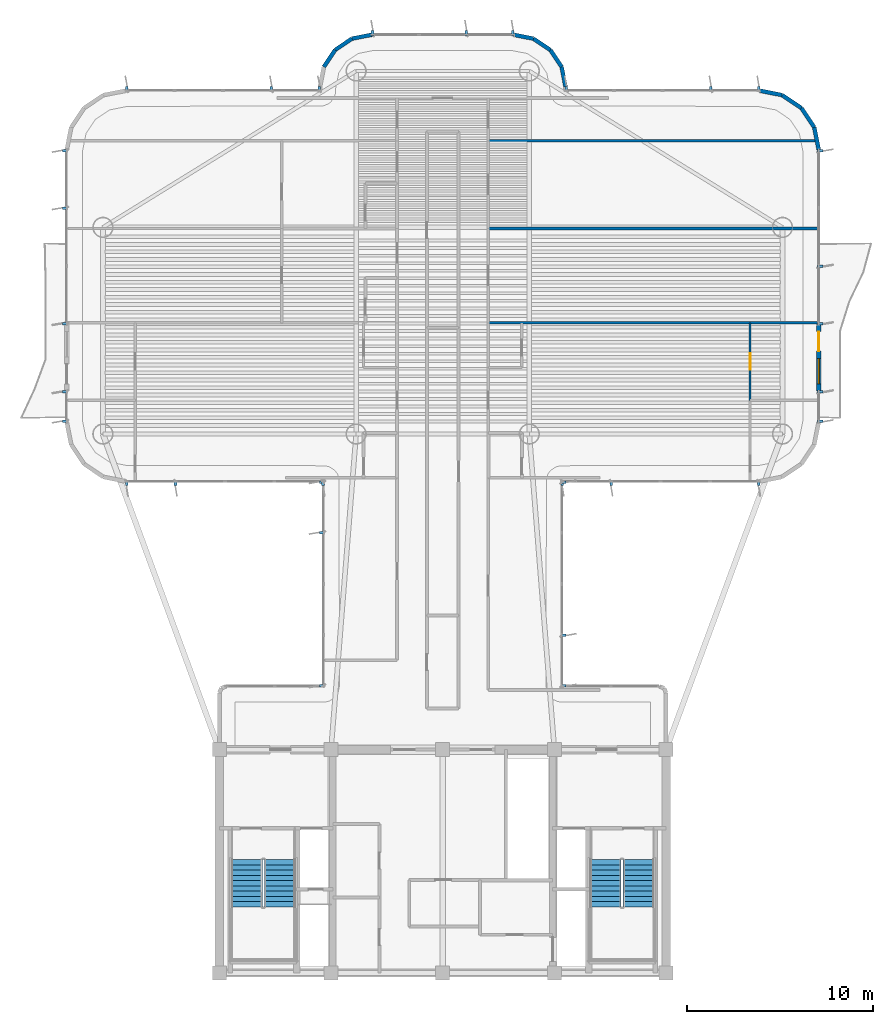
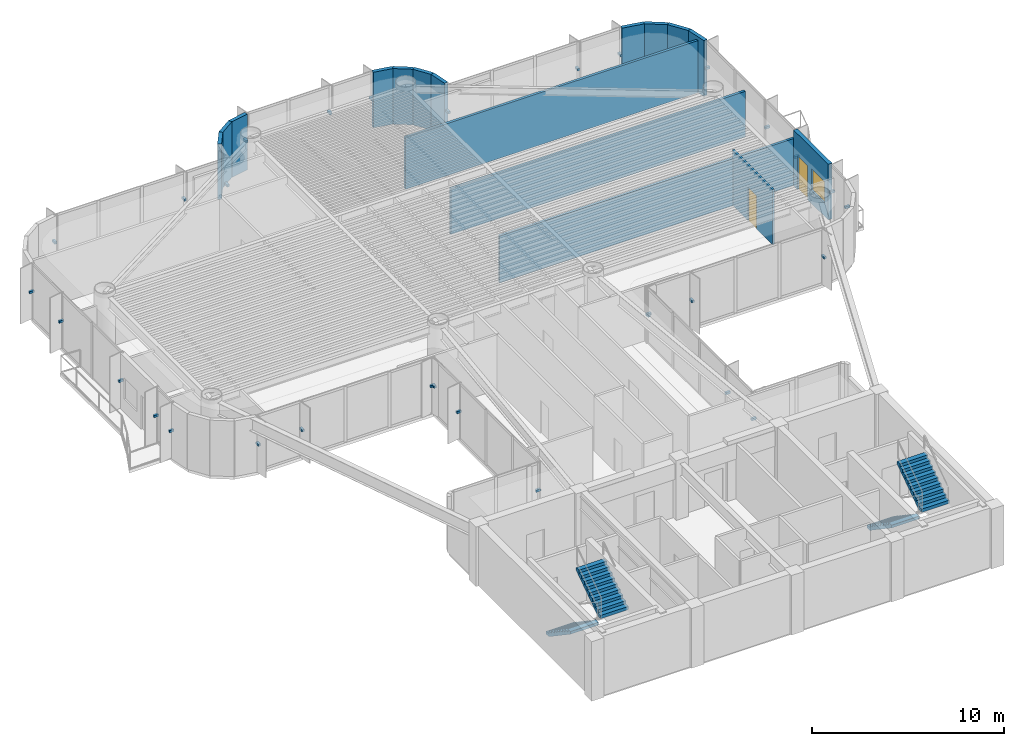
# One storey, part 12 of 14: 31 discrete accessories, 16 walls, 4 stair flights, 2 doors, 1 window, 3 openings, 2 elements without a shape of their own.
"""IFC4 building model written with IfcOpenShell, lengths in metres."""

from ifc_helpers import new_model, si_unit, direction, frame, frame_2d, origin, origin_2d, place, context, subcontext, project, spatial, polyline, rectangle, outline, extrude, source, transform, mapped, material, layer, layer_set, type_object, element, fill, aggregate, save


model = new_model("IFC4")

# Units and contexts
model_context = context("Model", 3, precision=1e-05, world=origin(), true_north=direction((0.0, 1.0)))
body_context = subcontext(model_context, "Body", "Model", "MODEL_VIEW")
ifc_project = project(units=[si_unit("LENGTHUNIT", "METRE"), si_unit("AREAUNIT", "SQUARE_METRE"), si_unit("VOLUMEUNIT", "CUBIC_METRE"), si_unit("PLANEANGLEUNIT", "RADIAN"), si_unit("MASSUNIT", "GRAM", prefix="KILO")], contexts=[model_context])

# Site, building, storey
site_placement = place(None, origin())
site = spatial("IfcSite", under=ifc_project, at=site_placement, CompositionType="ELEMENT")
building_placement = place(site_placement, origin())
building = spatial("IfcBuilding", under=site, at=building_placement, Name="Brelvock Crest Care Tower", CompositionType="ELEMENT")
storey_placement = place(building_placement, frame((0.0, 0.0, 205.56005859375)))
storey = spatial("IfcBuildingStorey", under=building, at=storey_placement, Name="L52", CompositionType="ELEMENT", Elevation=205.56005859375)

# Wall, openings, door, window
ifc_material_1 = material(Name="Precast concrete N40 (40 MPa)", Category="concrete")
ifc_layer_1 = layer(ifc_material_1, 0.239990234375, Name="WL-EX1")
ifc_layer_set_1 = layer_set([ifc_layer_1], Name="Precast concrete N40 (40 MPa)")
wall_type_1 = type_object("IfcWallType", Name="WL-EX1", PredefinedType="SOLIDWALL", material=ifc_layer_set_1)
wall_1_placement = place(storey_placement, frame((56.199951171875, 40.85009765625, 0.0), z_axis=(0.0, 0.0, 1.0), x_axis=(0.0, -1.0, 0.0)))
wall_1 = element("IfcWall", 1, at=wall_1_placement, inside=storey, type_object=wall_type_1, Name="L52 Exterior Spandrel Wall WL-BAL-L52-E", PredefinedType="SOLIDWALL", context=body_context, shape_type="SweptSolid", body=[
    extrude(rectangle(XDim=3.60009765625, YDim=0.239990234375, at=frame_2d((1.800048828125, 0.0))), origin(), (0.0, 0.0, 1.0), 3.530029296875),
])
opening_1_placement = place(wall_1_placement, frame((0.39990234375, 0.0, 0.0)))
opening_1 = element("IfcOpeningElement", 2, at=opening_1_placement, cuts=wall_1, Name="Opening BD-1", PredefinedType="OPENING", context=body_context, shape_type="SweptSolid", body=[
    extrude(rectangle(XDim=1.050048828125, YDim=2.14990234375, at=origin_2d()), frame((0.52490234375, 0.1298828125, 1.074951171875), z_axis=(0.0, -1.0, 0.0), x_axis=(1.0, 0.0, 0.0)), (0.0, 0.0, 1.0), 0.260009765625),
])
opening_2_placement = place(wall_1_placement, frame((1.85009765625, 0.0, 0.85009765625)))
opening_2 = element("IfcOpeningElement", 3, at=opening_2_placement, cuts=wall_1, Name="Opening W-01", PredefinedType="OPENING", context=body_context, shape_type="SweptSolid", body=[
    extrude(rectangle(XDim=1.35009765625, YDim=1.35009765625, at=origin_2d()), frame((0.675048828125, 0.1298828125, 0.675048828125), z_axis=(0.0, -1.0, 0.0), x_axis=(1.0, 0.0, 0.0)), (0.0, 0.0, 1.0), 0.260009765625),
])
ifc_material_2 = material(Name="Dark Glass Double Glazed Low-E", Category="glass")
door_type_1 = type_object("IfcDoorType", Name="DR-BAL1", OperationType="NOTDEFINED", PredefinedType="DOOR", material=ifc_material_2)
shared_shape_1 = source(origin(), body_context, "Body", "SweptSolid", [
    extrude(rectangle(XDim=1.050048828125, YDim=2.14990234375, at=origin_2d()), frame((0.52490234375, 0.02490234375, 1.074951171875), z_axis=(0.0, -1.0, 0.0), x_axis=(1.0, 0.0, 0.0)), (0.0, 0.0, 1.0), 0.050048828125),
])
door_1_placement = place(opening_1_placement, origin())
door_1 = element("IfcDoor", 4, at=door_1_placement, inside=storey, type_object=door_type_1, Name="L52 E Wave Balcony Glazed Door", OperationType="SINGLE_SWING_RIGHT", OverallHeight=2.14990234375, OverallWidth=1.050048828125, PredefinedType="DOOR", context=body_context, shape_type="MappedRepresentation", body=[
    mapped(shared_shape_1, transform((0.0, 0.0, 0.0), x_axis=(1.0, 0.0, 0.0), y_axis=(0.0, 1.0, 0.0), z_axis=(0.0, 0.0, 1.0), scale=1.0)),
])
fill(opening_1, door_1)
window_type = type_object("IfcWindowType", Name="WN-EX1", PartitioningType="SINGLE_PANEL", PredefinedType="WINDOW", material=ifc_material_2)
shared_shape_2 = source(origin(), body_context, "Body", "SweptSolid", [
    extrude(rectangle(XDim=1.35009765625, YDim=1.35009765625, at=origin_2d()), frame((0.675048828125, 0.030029296875, 0.675048828125), z_axis=(0.0, -1.0, 0.0), x_axis=(1.0, 0.0, 0.0)), (0.0, 0.0, 1.0), 0.06005859375),
])
window_placement = place(opening_2_placement, origin())
window = element("IfcWindow", 5, at=window_placement, inside=storey, type_object=window_type, Name="L52 E Suite Casement Window", OverallHeight=1.35009765625, OverallWidth=1.35009765625, PartitioningType="SINGLE_PANEL", PredefinedType="WINDOW", context=body_context, shape_type="MappedRepresentation", body=[
    mapped(shared_shape_2, transform((0.0, 0.0, 0.0), x_axis=(1.0, 0.0, 0.0), y_axis=(0.0, 1.0, 0.0), z_axis=(0.0, 0.0, 1.0), scale=1.0)),
])
fill(opening_2, window)

# Walls
ifc_layer_2 = layer(ifc_material_1, 0.215087890625, Name="WL-EX2")
ifc_layer_set_2 = layer_set([ifc_layer_2], Name="Precast concrete N40 (40 MPa)")
wall_type_2 = type_object("IfcWallType", Name="WL-EX2", PredefinedType="SOLIDWALL", material=ifc_layer_set_2)
wall_2_placement = place(storey_placement, frame((29.613037109375, 54.67138671875, 0.0), z_axis=(0.0, 0.0, 1.0), x_axis=(0.555679482341, 0.831396603857, 0.0)))
element("IfcWall", 6, at=wall_2_placement, inside=storey, type_object=wall_type_2, Name="L52 Rounded Corner Wall 25", PredefinedType="SOLIDWALL", context=body_context, shape_type="SweptSolid", body=[
    extrude(rectangle(XDim=1.0927734375, YDim=0.215087890625, at=frame_2d((0.54638671875, 0.0))), origin(), (0.0, 0.0, 1.0), 3.530029296875),
])
for number, where, z_axis, x_axis, name in (
    (7, (30.22021484375, 55.579833984375, 0.0), (0.0, 0.0, 1.0), (0.831327592857, 0.555782721353, 0.0), "L52 Rounded Corner Wall 26"),
    (8, (31.12841796875, 56.18701171875, 0.0), (0.0, 0.0, 1.0), (0.980829143587, 0.194869677195, 0.0), "L52 Rounded Corner Wall 27"),
    (9, (39.800048828125, 56.39990234375, 0.0), (0.0, 0.0, 1.0), (0.980829143587, -0.194869677195, 0.0), "L52 Rounded Corner Wall 29"),
    (10, (40.87158203125, 56.18701171875, 0.0), (0.0, 0.0, 1.0), (0.831327592857, -0.555782721353, 0.0), "L52 Rounded Corner Wall 30"),
):
    element("IfcWall", number, at=place(storey_placement, frame(where, z_axis=z_axis, x_axis=x_axis)), inside=storey, type_object=wall_type_2, Name=name, PredefinedType="SOLIDWALL", context=body_context, shape_type="SweptSolid", body=[
        extrude(rectangle(XDim=1.092529296875, YDim=0.215087890625, at=frame_2d((0.54638671875, 0.0))), origin(), (0.0, 0.0, 1.0), 3.530029296875),
    ])
wall_3_placement = place(storey_placement, frame((41.77978515625, 55.579833984375, 0.0), z_axis=(0.0, 0.0, 1.0), x_axis=(0.555679482341, -0.831396603857, 0.0)))
element("IfcWall", 11, at=wall_3_placement, inside=storey, type_object=wall_type_2, Name="L52 Rounded Corner Wall 31", PredefinedType="SOLIDWALL", context=body_context, shape_type="SweptSolid", body=[
    extrude(rectangle(XDim=1.0927734375, YDim=0.215087890625, at=frame_2d((0.54638671875, 0.0))), origin(), (0.0, 0.0, 1.0), 3.530029296875),
])
wall_4_placement = place(storey_placement, frame((42.386962890625, 54.67138671875, 0.0), z_axis=(0.0, 0.0, 1.0), x_axis=(0.195127417394, -0.980777900945, 0.0)))
element("IfcWall", 12, at=wall_4_placement, inside=storey, type_object=wall_type_2, Name="L52 Rounded Corner Wall 32", PredefinedType="SOLIDWALL", context=body_context, shape_type="SweptSolid", body=[
    extrude(rectangle(XDim=1.09228515625, YDim=0.215087890625, at=frame_2d((0.546142578125, 0.0))), origin(), (0.0, 0.0, 1.0), 3.530029296875),
])
for number, where, z_axis, x_axis, name in (
    (13, (53.0, 53.39990234375, 0.0), (0.0, 0.0, 1.0), (0.980813122964, -0.194950295773, 0.0), "L52 Rounded Corner Wall 35"),
    (14, (54.224609375, 53.156494140625, 0.0), (0.0, 0.0, 1.0), (0.831387912822, -0.555692485475, 0.0), "L52 Rounded Corner Wall 36"),
    (15, (55.2626953125, 52.462646484375, 0.0), (0.0, 0.0, 1.0), (0.555557312883, -0.831478245117, 0.0), "L52 Rounded Corner Wall 37"),
    (16, (55.956298828125, 51.424560546875, 0.0), (0.0, 0.0, 1.0), (0.195138390419, -0.980775717779, 0.0), "L52 Rounded Corner Wall 38"),
):
    element("IfcWall", number, at=place(storey_placement, frame(where, z_axis=z_axis, x_axis=x_axis)), inside=storey, type_object=wall_type_2, Name=name, PredefinedType="SOLIDWALL", context=body_context, shape_type="SweptSolid", body=[
        extrude(rectangle(XDim=1.24853515625, YDim=0.215087890625, at=frame_2d((0.624267578125, 0.0))), origin(), (0.0, 0.0, 1.0), 3.530029296875),
    ])
ifc_material_3 = material(Name="Masonry Blockwork Acoustic Partition", Category="masonry")
ifc_layer_3 = layer(ifc_material_3, 0.14990234375, Name="WL-INT1")
ifc_layer_set_3 = layer_set([ifc_layer_3], Name="Masonry Blockwork Acoustic Partition")
wall_type_3 = type_object("IfcWallType", Name="WL-INT1", PredefinedType="PARTITIONING", material=ifc_layer_set_3)
wall_5_placement = place(storey_placement, frame((38.449951171875, 40.926025390625, 0.0), z_axis=(0.0, 0.0, 1.0), x_axis=(1.0, 0.0, 0.0)))
element("IfcWall", 17, at=wall_5_placement, inside=storey, type_object=wall_type_3, Name="L52 Interior Wall WL-BX-L52-EFL2-S", PredefinedType="PARTITIONING", context=body_context, shape_type="SweptSolid", body=[
    extrude(rectangle(XDim=17.670166015625, YDim=0.14990234375, at=frame_2d((8.8349609375, 0.0))), origin(), (0.0, 0.0, 1.0), 2.98193359375),
])
wall_6_placement = place(storey_placement, frame((38.449951171875, 45.993896484375, 0.0), z_axis=(0.0, 0.0, 1.0), x_axis=(1.0, 0.0, 0.0)))
element("IfcWall", 18, at=wall_6_placement, inside=storey, type_object=wall_type_3, Name="L52 Interior Wall WL-BX-L52-EFL2-N", PredefinedType="PARTITIONING", context=body_context, shape_type="SweptSolid", body=[
    extrude(rectangle(XDim=17.670166015625, YDim=0.14990234375, at=frame_2d((8.8349609375, 0.0))), origin(), (0.0, 0.0, 1.0), 2.90283203125),
])
wall_7_placement = place(storey_placement, frame((38.449951171875, 50.699951171875, 0.0), z_axis=(0.0, 0.0, 1.0), x_axis=(1.0, 0.0, 0.0)))
element("IfcWall", 19, at=wall_7_placement, inside=storey, type_object=wall_type_3, Name="L52 Interior Wall WL-BX-L52-EFL3-N", PredefinedType="PARTITIONING", context=body_context, shape_type="SweptSolid", body=[
    extrude(rectangle(XDim=17.569091796875, YDim=0.14990234375, at=frame_2d((8.78466796875, 0.0))), origin(), (0.0, 0.0, 1.0), 3.307861328125),
])

# Wall, opening, door
ifc_material_4 = material(Name="Gypsum Plasterboard Partition", Category="gypsum")
ifc_layer_4 = layer(ifc_material_4, 0.1201171875, Name="WL-INT2")
ifc_layer_set_4 = layer_set([ifc_layer_4], Name="Gypsum Plasterboard Partition")
wall_type_4 = type_object("IfcWallType", Name="WL-INT2", PredefinedType="PARTITIONING", material=ifc_layer_set_4)
wall_8_placement = place(storey_placement, frame((52.510009765625, 36.762939453125, 0.0), z_axis=(0.0, 0.0, 1.0), x_axis=(0.0, 1.0, 0.0)))
wall_8 = element("IfcWall", 20, at=wall_8_placement, inside=storey, type_object=wall_type_4, Name="L52 Interior Wall WL-UBD2-L52-EF1", PredefinedType="PARTITIONING", context=body_context, shape_type="SweptSolid", body=[
    extrude(rectangle(XDim=4.1630859375, YDim=0.1201171875, at=frame_2d((2.08154296875, 0.0))), origin(), (0.0, 0.0, 1.0), 3.5),
])
opening_3_placement = place(wall_8_placement, frame((1.652099609375, 0.0, 0.0)))
opening_3 = element("IfcOpeningElement", 21, at=opening_3_placement, cuts=wall_8, Name="Opening ID-1", PredefinedType="OPENING", context=body_context, shape_type="SweptSolid", body=[
    extrude(rectangle(XDim=0.860107421875, YDim=2.10009765625, at=origin_2d()), frame((0.43017578125, 0.070068359375, 1.050048828125), z_axis=(0.0, -1.0, 0.0), x_axis=(1.0, 0.0, 0.0)), (0.0, 0.0, 1.0), 0.14013671875),
])
ifc_material_5 = material(Name="Engineered Hardwood Timber", Category="wood")
door_type_2 = type_object("IfcDoorType", Name="DR-INT1", OperationType="NOTDEFINED", PredefinedType="DOOR", material=ifc_material_5)
shared_shape_3 = source(origin(), body_context, "Body", "SweptSolid", [
    extrude(rectangle(XDim=0.860107421875, YDim=2.10009765625, at=origin_2d()), frame((0.43017578125, 0.02490234375, 1.050048828125), z_axis=(0.0, -1.0, 0.0), x_axis=(1.0, 0.0, 0.0)), (0.0, 0.0, 1.0), 0.050048828125),
])
door_2_placement = place(opening_3_placement, origin())
door_2 = element("IfcDoor", 22, at=door_2_placement, inside=storey, type_object=door_type_2, Name="L52 Second Room Door EF1", OperationType="SINGLE_SWING_LEFT", OverallHeight=2.10009765625, OverallWidth=0.860107421875, PredefinedType="DOOR", context=body_context, shape_type="MappedRepresentation", body=[
    mapped(shared_shape_3, transform((0.0, 0.0, 0.0), x_axis=(1.0, 0.0, 0.0), y_axis=(0.0, 1.0, 0.0), z_axis=(0.0, 0.0, 1.0), scale=1.0)),
])
fill(opening_3, door_2)

# Stair, stair flights
ifc_material_6 = material(Name="Concrete N40 (40 MPa)", Category="concrete")
stair_type = type_object("IfcStairType", Name="ST-CORE1", PredefinedType="HALF_TURN_STAIR", material=ifc_material_6)
stair_1_placement = place(storey_placement, origin())
stair_1 = element("IfcStair", 23, at=stair_1_placement, inside=storey, type_object=stair_type, Name="L52 Fire-Isolated Core Stair ST-1", PredefinedType="HALF_TURN_STAIR")
stair_flight_type = type_object("IfcStairFlightType", Name="STF-1", PredefinedType="STRAIGHT", material=ifc_material_6)
stair_flight_1_placement = place(storey_placement, frame((25.469970703125, 12.080078125, 0.0), z_axis=(0.0, 0.0, 1.0), x_axis=(0.0, -1.0, 0.0)))
stair_flight_1 = element("IfcStairFlight", 24, at=stair_flight_1_placement, type_object=stair_flight_type, Name="ST-1 flight 1", NumberOfRisers=10, NumberOfTreads=9, PredefinedType="STRAIGHT", RiserHeight=0.189, TreadLength=0.28, context=body_context, shape_type="SweptSolid", body=[
    extrude(outline(polyline([(-0.00390625, -0.014892578125), (-0.00390625, -0.0078125), (-0.00390625, -0.00048828125), (-0.00390625, 0.0068359375), (-0.00390625, 0.01416015625), (-0.00390625, 0.021484375), (-0.00390625, 0.02880859375), (-0.00390625, 0.035888671875), (-0.00390625, 0.043212890625), (-0.00390625, 0.050537109375), (-0.00390625, 0.057861328125), (-0.00390625, 0.065185546875), (-0.00390625, 0.072509765625), (-0.00390625, 0.07958984375), (-0.00390625, 0.0869140625), (-0.00390625, 0.09423828125), (-0.00390625, 0.1015625), (-0.00390625, 0.10888671875), (-0.00390625, 0.1162109375), (-0.00390625, 0.12353515625), (-0.00390625, 0.130615234375), (-0.00390625, 0.137939453125), (-0.00390625, 0.145263671875), (-0.00390625, 0.152587890625), (-0.00390625, 0.159912109375), (-0.00390625, 0.167236328125), (-0.00390625, 0.17431640625), (-0.00390625, 0.181640625), (-0.00390625, 0.18896484375), (0.0, 0.18896484375), (0.280029296875, 0.18896484375), (0.280029296875, 0.3779296875), (0.56005859375, 0.3779296875), (0.56005859375, 0.56689453125), (0.840087890625, 0.56689453125), (0.840087890625, 0.756103515625), (1.1201171875, 0.756103515625), (1.1201171875, 0.945068359375), (1.39990234375, 0.945068359375), (1.39990234375, 1.134033203125), (1.679931640625, 1.134033203125), (1.679931640625, 1.322998046875), (1.9599609375, 1.322998046875), (1.9599609375, 1.511962890625), (2.239990234375, 1.511962890625), (2.239990234375, 1.700927734375), (2.52001953125, 1.700927734375), (2.52392578125, 1.700927734375), (2.523681640625, 1.70068359375), (2.52392578125, 1.700439453125), (2.523681640625, 1.699951171875), (2.52392578125, 1.69970703125), (2.523681640625, 1.699462890625), (2.52392578125, 1.698974609375), (2.523681640625, 1.69873046875), (2.52392578125, 1.698486328125), (2.523681640625, 1.697998046875), (2.52392578125, 1.69775390625), (2.523681640625, 1.697509765625), (2.52392578125, 1.697021484375), (2.523681640625, 1.69677734375), (2.52392578125, 1.696533203125), (2.523681640625, 1.6962890625), (2.52392578125, 1.69580078125), (2.523681640625, 1.695556640625), (2.52392578125, 1.6953125), (2.523681640625, 1.69482421875), (2.52392578125, 1.694580078125), (2.523681640625, 1.6943359375), (2.52392578125, 1.69384765625), (2.523681640625, 1.693603515625), (2.52392578125, 1.693359375), (2.523681640625, 1.69287109375), (2.52392578125, 1.692626953125), (2.523681640625, 1.6923828125), (2.52392578125, 1.69189453125), (2.52001953125, 1.520263671875), (0.267822265625, 0.0), (0.0, 0.0), (0.0, -0.014892578125), (-0.00390625, -0.014892578125)])), frame((0.0, 0.83984375, 0.0), z_axis=(0.0, -1.0, 0.0), x_axis=(1.0, 0.0, 0.0)), (0.0, 0.0, 1.0), 1.679931640625),
])
stair_flight_2_placement = place(storey_placement, frame((27.27001953125, 9.56005859375, 1.889892578125), z_axis=(0.0, 0.0, 1.0), x_axis=(0.0, 1.0, 0.0)))
stair_flight_2 = element("IfcStairFlight", 25, at=stair_flight_2_placement, type_object=stair_flight_type, Name="ST-1 flight 2", NumberOfRisers=10, NumberOfTreads=9, PredefinedType="STRAIGHT", RiserHeight=0.189, TreadLength=0.28, context=body_context, shape_type="SweptSolid", body=[
    extrude(outline(polyline([(-0.00390625, -0.014892578125), (-0.00390625, -0.0078125), (-0.00390625, -0.00048828125), (-0.00390625, 0.0068359375), (-0.00390625, 0.01416015625), (-0.00390625, 0.021484375), (-0.00390625, 0.02880859375), (-0.00390625, 0.035888671875), (-0.00390625, 0.043212890625), (-0.00390625, 0.050537109375), (-0.00390625, 0.057861328125), (-0.00390625, 0.065185546875), (-0.00390625, 0.072509765625), (-0.00390625, 0.07958984375), (-0.00390625, 0.0869140625), (-0.00390625, 0.09423828125), (-0.00390625, 0.1015625), (-0.00390625, 0.10888671875), (-0.00390625, 0.1162109375), (-0.00390625, 0.12353515625), (-0.00390625, 0.130615234375), (-0.00390625, 0.137939453125), (-0.00390625, 0.145263671875), (-0.00390625, 0.152587890625), (-0.00390625, 0.159912109375), (-0.00390625, 0.167236328125), (-0.00390625, 0.17431640625), (-0.00390625, 0.181640625), (-0.00390625, 0.18896484375), (0.0, 0.18896484375), (0.280029296875, 0.18896484375), (0.280029296875, 0.3779296875), (0.56005859375, 0.3779296875), (0.56005859375, 0.56689453125), (0.840087890625, 0.56689453125), (0.840087890625, 0.756103515625), (1.1201171875, 0.756103515625), (1.1201171875, 0.945068359375), (1.39990234375, 0.945068359375), (1.39990234375, 1.134033203125), (1.679931640625, 1.134033203125), (1.679931640625, 1.322998046875), (1.9599609375, 1.322998046875), (1.9599609375, 1.511962890625), (2.239990234375, 1.511962890625), (2.239990234375, 1.700927734375), (2.52001953125, 1.700927734375), (2.52392578125, 1.700927734375), (2.523681640625, 1.70068359375), (2.52392578125, 1.700439453125), (2.523681640625, 1.699951171875), (2.52392578125, 1.69970703125), (2.523681640625, 1.699462890625), (2.52392578125, 1.698974609375), (2.523681640625, 1.69873046875), (2.52392578125, 1.698486328125), (2.523681640625, 1.697998046875), (2.52392578125, 1.69775390625), (2.523681640625, 1.697509765625), (2.52392578125, 1.697021484375), (2.523681640625, 1.69677734375), (2.52392578125, 1.696533203125), (2.523681640625, 1.6962890625), (2.52392578125, 1.69580078125), (2.523681640625, 1.695556640625), (2.52392578125, 1.6953125), (2.523681640625, 1.69482421875), (2.52392578125, 1.694580078125), (2.523681640625, 1.6943359375), (2.52392578125, 1.69384765625), (2.523681640625, 1.693603515625), (2.52392578125, 1.693359375), (2.523681640625, 1.69287109375), (2.52392578125, 1.692626953125), (2.523681640625, 1.6923828125), (2.52392578125, 1.69189453125), (2.52001953125, 1.520263671875), (0.267822265625, 0.0), (0.0, 0.0), (0.0, -0.014892578125), (-0.00390625, -0.014892578125)])), frame((0.0, 0.83984375, 0.0), z_axis=(0.0, -1.0, 0.0), x_axis=(1.0, 0.0, 0.0)), (0.0, 0.0, 1.0), 1.679931640625),
])
aggregate(stair_1, [stair_flight_1, stair_flight_2])

stair_2_placement = place(storey_placement, origin())
stair_2 = element("IfcStair", 26, at=stair_2_placement, inside=storey, type_object=stair_type, Name="L52 Fire-Isolated Core Stair ST-2", PredefinedType="HALF_TURN_STAIR")
stair_flight_3_placement = place(storey_placement, frame((44.72998046875, 12.080078125, 0.0), z_axis=(0.0, 0.0, 1.0), x_axis=(0.0, -1.0, 0.0)))
stair_flight_3 = element("IfcStairFlight", 27, at=stair_flight_3_placement, type_object=stair_flight_type, Name="ST-2 flight 1", NumberOfRisers=10, NumberOfTreads=9, PredefinedType="STRAIGHT", RiserHeight=0.189, TreadLength=0.28, context=body_context, shape_type="SweptSolid", body=[
    extrude(outline(polyline([(-0.00390625, -0.014892578125), (-0.00390625, -0.0078125), (-0.00390625, -0.00048828125), (-0.00390625, 0.0068359375), (-0.00390625, 0.01416015625), (-0.00390625, 0.021484375), (-0.00390625, 0.02880859375), (-0.00390625, 0.035888671875), (-0.00390625, 0.043212890625), (-0.00390625, 0.050537109375), (-0.00390625, 0.057861328125), (-0.00390625, 0.065185546875), (-0.00390625, 0.072509765625), (-0.00390625, 0.07958984375), (-0.00390625, 0.0869140625), (-0.00390625, 0.09423828125), (-0.00390625, 0.1015625), (-0.00390625, 0.10888671875), (-0.00390625, 0.1162109375), (-0.00390625, 0.12353515625), (-0.00390625, 0.130615234375), (-0.00390625, 0.137939453125), (-0.00390625, 0.145263671875), (-0.00390625, 0.152587890625), (-0.00390625, 0.159912109375), (-0.00390625, 0.167236328125), (-0.00390625, 0.17431640625), (-0.00390625, 0.181640625), (-0.00390625, 0.18896484375), (0.0, 0.18896484375), (0.280029296875, 0.18896484375), (0.280029296875, 0.3779296875), (0.56005859375, 0.3779296875), (0.56005859375, 0.56689453125), (0.840087890625, 0.56689453125), (0.840087890625, 0.756103515625), (1.1201171875, 0.756103515625), (1.1201171875, 0.945068359375), (1.39990234375, 0.945068359375), (1.39990234375, 1.134033203125), (1.679931640625, 1.134033203125), (1.679931640625, 1.322998046875), (1.9599609375, 1.322998046875), (1.9599609375, 1.511962890625), (2.239990234375, 1.511962890625), (2.239990234375, 1.700927734375), (2.52001953125, 1.700927734375), (2.52392578125, 1.700927734375), (2.523681640625, 1.70068359375), (2.52392578125, 1.700439453125), (2.523681640625, 1.699951171875), (2.52392578125, 1.69970703125), (2.523681640625, 1.699462890625), (2.52392578125, 1.698974609375), (2.523681640625, 1.69873046875), (2.52392578125, 1.698486328125), (2.523681640625, 1.697998046875), (2.52392578125, 1.69775390625), (2.523681640625, 1.697509765625), (2.52392578125, 1.697021484375), (2.523681640625, 1.69677734375), (2.52392578125, 1.696533203125), (2.523681640625, 1.6962890625), (2.52392578125, 1.69580078125), (2.523681640625, 1.695556640625), (2.52392578125, 1.6953125), (2.523681640625, 1.69482421875), (2.52392578125, 1.694580078125), (2.523681640625, 1.6943359375), (2.52392578125, 1.69384765625), (2.523681640625, 1.693603515625), (2.52392578125, 1.693359375), (2.523681640625, 1.69287109375), (2.52392578125, 1.692626953125), (2.523681640625, 1.6923828125), (2.52392578125, 1.69189453125), (2.52001953125, 1.520263671875), (0.267822265625, 0.0), (0.0, 0.0), (0.0, -0.014892578125), (-0.00390625, -0.014892578125)])), frame((0.0, 0.83984375, 0.0), z_axis=(0.0, -1.0, 0.0), x_axis=(1.0, 0.0, 0.0)), (0.0, 0.0, 1.0), 1.679931640625),
])
stair_flight_4_placement = place(storey_placement, frame((46.530029296875, 9.56005859375, 1.889892578125), z_axis=(0.0, 0.0, 1.0), x_axis=(0.0, 1.0, 0.0)))
stair_flight_4 = element("IfcStairFlight", 28, at=stair_flight_4_placement, type_object=stair_flight_type, Name="ST-2 flight 2", NumberOfRisers=10, NumberOfTreads=9, PredefinedType="STRAIGHT", RiserHeight=0.189, TreadLength=0.28, context=body_context, shape_type="SweptSolid", body=[
    extrude(outline(polyline([(-0.00390625, -0.014892578125), (-0.00390625, -0.0078125), (-0.00390625, -0.00048828125), (-0.00390625, 0.0068359375), (-0.00390625, 0.01416015625), (-0.00390625, 0.021484375), (-0.00390625, 0.02880859375), (-0.00390625, 0.035888671875), (-0.00390625, 0.043212890625), (-0.00390625, 0.050537109375), (-0.00390625, 0.057861328125), (-0.00390625, 0.065185546875), (-0.00390625, 0.072509765625), (-0.00390625, 0.07958984375), (-0.00390625, 0.0869140625), (-0.00390625, 0.09423828125), (-0.00390625, 0.1015625), (-0.00390625, 0.10888671875), (-0.00390625, 0.1162109375), (-0.00390625, 0.12353515625), (-0.00390625, 0.130615234375), (-0.00390625, 0.137939453125), (-0.00390625, 0.145263671875), (-0.00390625, 0.152587890625), (-0.00390625, 0.159912109375), (-0.00390625, 0.167236328125), (-0.00390625, 0.17431640625), (-0.00390625, 0.181640625), (-0.00390625, 0.18896484375), (0.0, 0.18896484375), (0.280029296875, 0.18896484375), (0.280029296875, 0.3779296875), (0.56005859375, 0.3779296875), (0.56005859375, 0.56689453125), (0.840087890625, 0.56689453125), (0.840087890625, 0.756103515625), (1.1201171875, 0.756103515625), (1.1201171875, 0.945068359375), (1.39990234375, 0.945068359375), (1.39990234375, 1.134033203125), (1.679931640625, 1.134033203125), (1.679931640625, 1.322998046875), (1.9599609375, 1.322998046875), (1.9599609375, 1.511962890625), (2.239990234375, 1.511962890625), (2.239990234375, 1.700927734375), (2.52001953125, 1.700927734375), (2.52392578125, 1.700927734375), (2.523681640625, 1.70068359375), (2.52392578125, 1.700439453125), (2.523681640625, 1.699951171875), (2.52392578125, 1.69970703125), (2.523681640625, 1.699462890625), (2.52392578125, 1.698974609375), (2.523681640625, 1.69873046875), (2.52392578125, 1.698486328125), (2.523681640625, 1.697998046875), (2.52392578125, 1.69775390625), (2.523681640625, 1.697509765625), (2.52392578125, 1.697021484375), (2.523681640625, 1.69677734375), (2.52392578125, 1.696533203125), (2.523681640625, 1.6962890625), (2.52392578125, 1.69580078125), (2.523681640625, 1.695556640625), (2.52392578125, 1.6953125), (2.523681640625, 1.69482421875), (2.52392578125, 1.694580078125), (2.523681640625, 1.6943359375), (2.52392578125, 1.69384765625), (2.523681640625, 1.693603515625), (2.52392578125, 1.693359375), (2.523681640625, 1.69287109375), (2.52392578125, 1.692626953125), (2.523681640625, 1.6923828125), (2.52392578125, 1.69189453125), (2.52001953125, 1.520263671875), (0.267822265625, 0.0), (0.0, 0.0), (0.0, -0.014892578125), (-0.00390625, -0.014892578125)])), frame((0.0, 0.83984375, 0.0), z_axis=(0.0, -1.0, 0.0), x_axis=(1.0, 0.0, 0.0)), (0.0, 0.0, 1.0), 1.679931640625),
])
aggregate(stair_2, [stair_flight_3, stair_flight_4])

# Discrete accessories
ifc_material_7 = material(Name="Steel Grade 350", Category="steel")
discrete_accessory_type = type_object("IfcDiscreteAccessoryType", Name="ACC-BRK1", PredefinedType="BRACKET", material=ifc_material_7)
shared_shape_4 = source(origin(), body_context, "Body", "SweptSolid", [
    extrude(rectangle(XDim=0.280029296875, YDim=0.139892578125, at=origin_2d()), origin(), (0.0, 0.0, 1.0), 0.139892578125),
])
for number, where, z_axis, x_axis, name in (
    (29, (29.52001953125, 21.429931640625, 1.69482421875), (0.0, 0.0, 1.0), (-1.0, 0.0, 0.0), "L52 Facade Fin Bracket E11-01"),
    (30, (29.52001953125, 29.64990234375, 1.69482421875), (0.0, 0.0, 1.0), (-1.0, 0.0, 0.0), "L52 Facade Fin Bracket E11-04"),
    (31, (29.52001953125, 32.3701171875, 1.69482421875), (0.0, 0.0, 1.0), (-1.0, 0.0, 0.0), "L52 Facade Fin Bracket E11-05"),
    (32, (29.570068359375, 32.320068359375, 1.69482421875), (0.0, 0.0, 1.0), (0.0, -1.0, 0.0), "L52 Facade Fin Bracket E12-01"),
    (33, (21.64990234375, 32.320068359375, 1.69482421875), (0.0, 0.0, 1.0), (0.0, -1.0, 0.0), "L52 Facade Fin Bracket E12-04"),
    (34, (19.030029296875, 32.320068359375, 1.69482421875), (0.0, 0.0, 1.0), (0.0, -1.0, 0.0), "L52 Facade Fin Bracket E12-05"),
    (35, (15.719970703125, 35.6298828125, 1.69482421875), (0.0, 0.0, 1.0), (-1.0, 0.0, 0.0), "L52 Facade Fin Bracket E17A-01"),
    (36, (15.719970703125, 37.219970703125, 1.69482421875), (0.0, 0.0, 1.0), (-1.0, 0.0, 0.0), "L52 Facade Fin Bracket E17A-02"),
    (37, (15.719970703125, 40.8798828125, 1.69482421875), (0.0, 0.0, 1.0), (-1.0, 0.0, 0.0), "L52 Facade Fin Bracket E17B-01"),
    (38, (15.719970703125, 47.083251953125, 1.69482421875), (0.0, 0.0, 1.0), (-1.0, 0.0, 0.0), "L52 Facade Fin Bracket E17B-03"),
    (39, (15.719970703125, 50.169921875, 1.69482421875), (0.0, 0.0, 1.0), (-1.0, 0.0, 0.0), "L52 Facade Fin Bracket E17B-04"),
    (40, (19.030029296875, 53.47998046875, 1.69482421875), (0.0, 0.0, 1.0), (0.0, 1.0, 0.0), "L52 Facade Fin Bracket E22-01"),
    (41, (26.800048828125, 53.47998046875, 1.69482421875), (0.0, 0.0, 1.0), (0.0, 1.0, 0.0), "L52 Facade Fin Bracket E22-04"),
    (42, (29.3701171875, 53.47998046875, 1.69482421875), (0.0, 0.0, 1.0), (0.0, 1.0, 0.0), "L52 Facade Fin Bracket E22-05"),
    (43, (32.22998046875, 56.47998046875, 1.69482421875), (0.0, 0.0, 1.0), (0.0, 1.0, 0.0), "L52 Facade Fin Bracket E28-01"),
    (44, (37.2666015625, 56.47998046875, 1.69482421875), (0.0, 0.0, 1.0), (0.0, 1.0, 0.0), "L52 Facade Fin Bracket E28-03"),
    (45, (39.77001953125, 56.47998046875, 1.69482421875), (0.0, 0.0, 1.0), (0.0, 1.0, 0.0), "L52 Facade Fin Bracket E28-04"),
    (46, (42.6298828125, 53.47998046875, 1.69482421875), (0.0, 0.0, 1.0), (0.0, 1.0, 0.0), "L52 Facade Fin Bracket E34-01"),
    (47, (50.39990234375, 53.47998046875, 1.69482421875), (0.0, 0.0, 1.0), (0.0, 1.0, 0.0), "L52 Facade Fin Bracket E34-04"),
    (48, (52.969970703125, 53.47998046875, 1.69482421875), (0.0, 0.0, 1.0), (0.0, 1.0, 0.0), "L52 Facade Fin Bracket E34-05"),
    (49, (56.280029296875, 50.169921875, 1.69482421875), (0.0, 0.0, 1.0), (1.0, 0.0, 0.0), "L52 Facade Fin Bracket E39A-01"),
    (50, (56.280029296875, 43.966796875, 1.69482421875), (0.0, 0.0, 1.0), (1.0, 0.0, 0.0), "L52 Facade Fin Bracket E39A-03"),
    (51, (56.280029296875, 40.8798828125, 1.69482421875), (0.0, 0.0, 1.0), (1.0, 0.0, 0.0), "L52 Facade Fin Bracket E39A-04"),
    (52, (56.280029296875, 37.219970703125, 1.69482421875), (0.0, 0.0, 1.0), (1.0, 0.0, 0.0), "L52 Facade Fin Bracket E39B-01"),
    (53, (56.280029296875, 35.6298828125, 1.69482421875), (0.0, 0.0, 1.0), (1.0, 0.0, 0.0), "L52 Facade Fin Bracket E39B-02"),
    (54, (52.969970703125, 32.320068359375, 1.69482421875), (0.0, 0.0, 1.0), (0.0, -1.0, 0.0), "L52 Facade Fin Bracket E44-01"),
    (55, (45.050048828125, 32.320068359375, 1.69482421875), (0.0, 0.0, 1.0), (0.0, -1.0, 0.0), "L52 Facade Fin Bracket E44-04"),
    (56, (42.429931640625, 32.320068359375, 1.69482421875), (0.0, 0.0, 1.0), (0.0, -1.0, 0.0), "L52 Facade Fin Bracket E44-05"),
    (57, (42.47998046875, 32.3701171875, 1.69482421875), (0.0, 0.0, 1.0), (1.0, 0.0, 0.0), "L52 Facade Fin Bracket E45-01"),
    (58, (42.47998046875, 24.14990234375, 1.69482421875), (0.0, 0.0, 1.0), (1.0, 0.0, 0.0), "L52 Facade Fin Bracket E45-04"),
    (59, (42.47998046875, 21.429931640625, 1.69482421875), (0.0, 0.0, 1.0), (1.0, 0.0, 0.0), "L52 Facade Fin Bracket E45-05"),
):
    element("IfcDiscreteAccessory", number, at=place(storey_placement, frame(where, z_axis=z_axis, x_axis=x_axis)), inside=storey, type_object=discrete_accessory_type, Name=name, PredefinedType="BRACKET", context=body_context, shape_type="MappedRepresentation", body=[
        mapped(shared_shape_4, transform((0.0, 0.0, 0.0), x_axis=(1.0, 0.0, 0.0), y_axis=(0.0, 1.0, 0.0), z_axis=(0.0, 0.0, 1.0), scale=1.0)),
    ])

save(model, "model.ifc")
